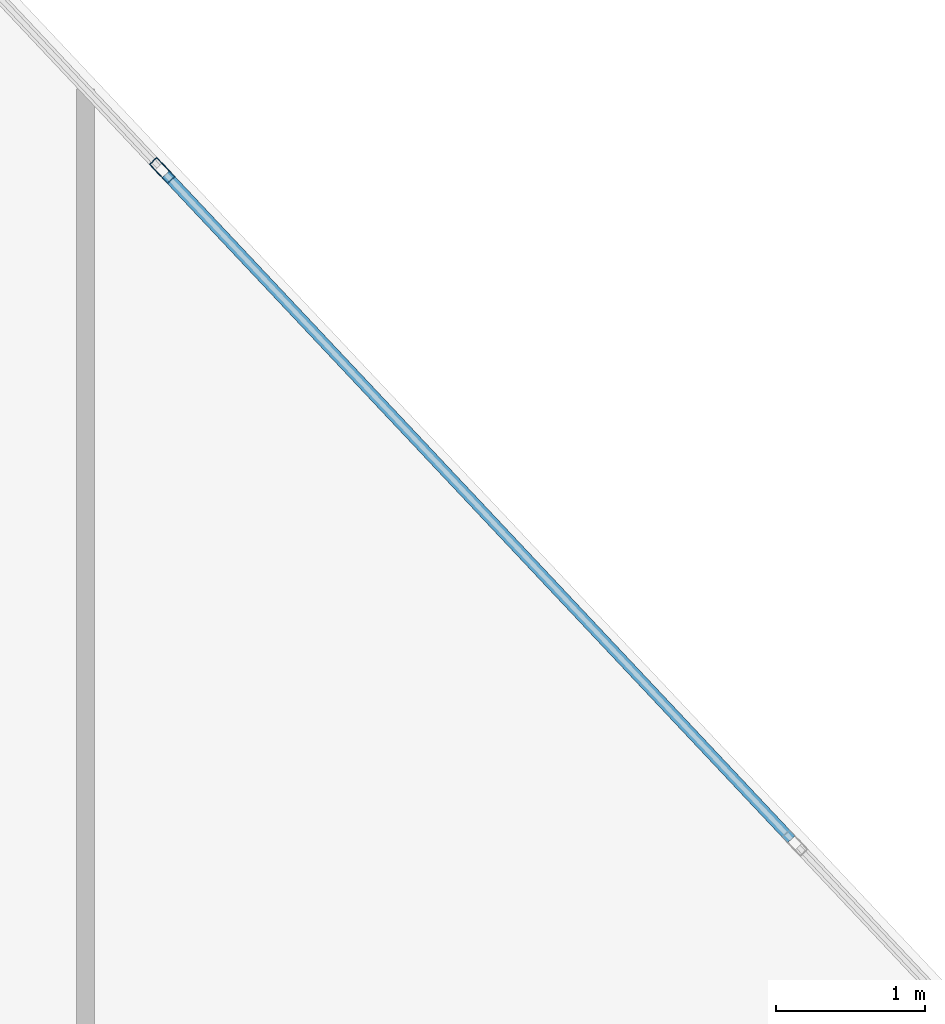
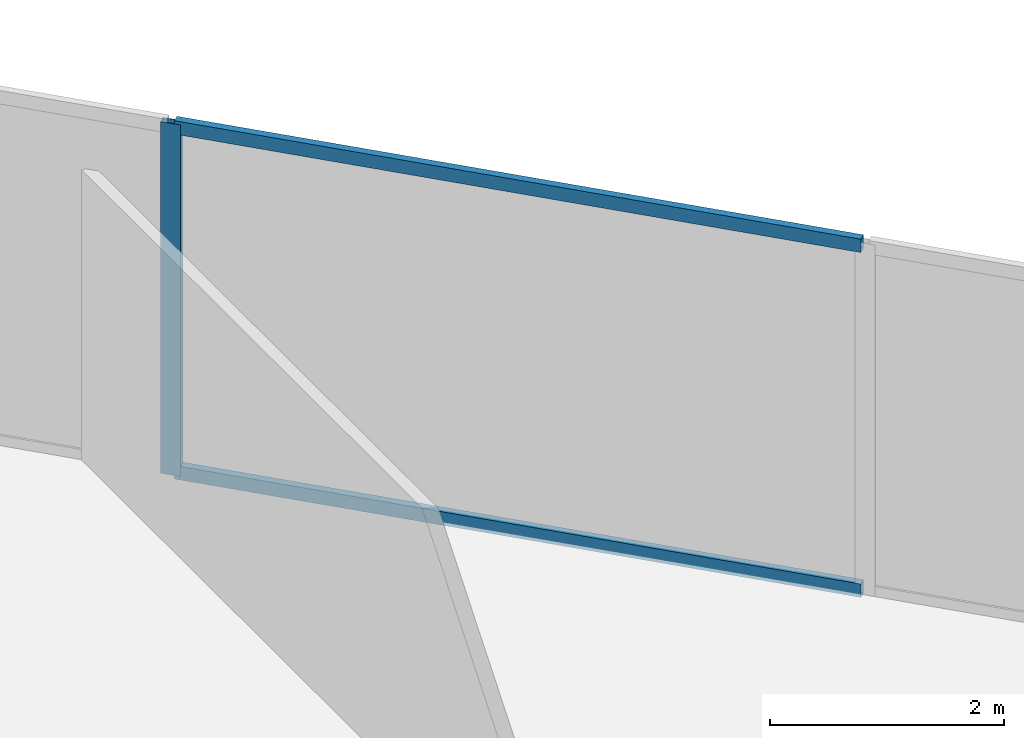
# One storey, part 19 of 25: 3 members, 1 element without a shape of its own.
"""IFC4 building model written with IfcOpenShell, lengths in metres."""

from ifc_helpers import new_model, si_unit, direction, frame, origin, origin_2d, place, context, subcontext, project, spatial, hollow_rectangle, extrude, source, transform, mapped, material, material_profile, profile_set, type_object, type_shapes, element, aggregate, save


model = new_model("IFC4")

# Units and contexts
model_context = context("Model", 3, precision=1e-05, world=origin(), true_north=direction((0.0, 1.0)))
body_context = subcontext(model_context, "Body", "Model", "MODEL_VIEW")
ifc_project = project(units=[si_unit("LENGTHUNIT", "METRE"), si_unit("AREAUNIT", "SQUARE_METRE"), si_unit("VOLUMEUNIT", "CUBIC_METRE"), si_unit("PLANEANGLEUNIT", "RADIAN"), si_unit("MASSUNIT", "GRAM", prefix="KILO")], contexts=[model_context])

# Site, building, storey
site_placement = place(None, origin())
site = spatial("IfcSite", under=ifc_project, at=site_placement, CompositionType="ELEMENT")
building_placement = place(site_placement, origin())
building = spatial("IfcBuilding", under=site, at=building_placement, Name="Krantzveldt Concourse Tower", CompositionType="ELEMENT")
storey_placement = place(building_placement, frame((0.0, 0.0, 238.89990234375)))
storey = spatial("IfcBuildingStorey", under=building, at=storey_placement, Name="L58", CompositionType="ELEMENT", Elevation=238.89990234375)

# Curtain wall, members
ifc_material = material(Name="Anodised aluminium 6063-T6", Category="aluminium")
curtain_wall_type = type_object("IfcCurtainWallType", Name="CW3", PredefinedType="USERDEFINED", material=ifc_material)
curtain_wall_placement = place(storey_placement, origin())
curtain_wall = element("IfcCurtainWall", 1, at=curtain_wall_placement, inside=storey, type_object=curtain_wall_type, Name="CW-L58-F14", ObjectType="UNITISED CURTAIN WALL", PredefinedType="USERDEFINED")
ifc_material_profile_1 = material_profile(ifc_material, hollow_rectangle(XDim=0.070068359375, YDim=0.179931640625, WallThickness=0.0048828125, at=origin_2d()), Name="Anodised aluminium 6063-T6", Category="aluminium")
ifc_profile_set_1 = profile_set([ifc_material_profile_1], Name="Anodised aluminium 6063-T6 - ALU-MULL 180x70x5")
member_type_1 = type_object("IfcMemberType", Name="CW-MUL-180", PredefinedType="MULLION", material=ifc_profile_set_1)
shared_shape_1 = source(origin(), body_context, "Body", "SweptSolid", [
    extrude(hollow_rectangle(XDim=0.070068359375, YDim=0.179931640625, WallThickness=0.0048828125, at=origin_2d()), origin(), (0.0, 0.0, 1.0), 3.670166015625),
])
type_shapes(member_type_1, [shared_shape_1])
member_1_placement = place(storey_placement, frame((44.493896484375, 47.45849609375, 0.0), z_axis=(0.0, 0.0, 1.0), x_axis=(-0.728371012348, -0.685182945184, 0.0)))
member_1 = element("IfcMember", 2, at=member_1_placement, type_object=member_type_1, Name="CW-Z34 mullion 5", PredefinedType="MULLION", context=body_context, shape_type="MappedRepresentation", body=[
    mapped(shared_shape_1, transform((0.0, 0.0, 0.0), x_axis=(1.0, 0.0, 0.0), y_axis=(0.0, 1.0, 0.0), z_axis=(0.0, 0.0, 1.0), scale=1.0)),
])
ifc_material_profile_2 = material_profile(ifc_material, hollow_rectangle(XDim=0.070068359375, YDim=0.139892578125, WallThickness=0.0048828125, at=origin_2d()), Name="Anodised aluminium 6063-T6", Category="aluminium")
ifc_profile_set_2 = profile_set([ifc_material_profile_2], Name="Anodised aluminium 6063-T6 - ALU-TRAN 140x70x5")
member_type_2 = type_object("IfcMemberType", Name="CW-TRN-150", PredefinedType="USERDEFINED", material=ifc_profile_set_2)
shared_shape_2 = source(origin(), body_context, "Body", "SweptSolid", [
    extrude(hollow_rectangle(XDim=0.070068359375, YDim=0.139892578125, WallThickness=0.0048828125, at=origin_2d()), origin(), (0.0, 0.0, 1.0), 6.1298828125),
])
type_shapes(member_type_2, [shared_shape_2])
member_2_placement = place(storey_placement, frame((48.718017578125, 42.968017578125, 0.03515625), z_axis=(-0.685190754255, 0.72836366623, 0.0), x_axis=(-0.72836366623, -0.685190754255, 0.0)))
member_2 = element("IfcMember", 3, at=member_2_placement, type_object=member_type_2, Name="CW-Z34 transom 4.1", ObjectType="TRANSOM", PredefinedType="USERDEFINED", context=body_context, shape_type="MappedRepresentation", body=[
    mapped(shared_shape_2, transform((0.0, 0.0, 0.0), x_axis=(1.0, 0.0, 0.0), y_axis=(0.0, 1.0, 0.0), z_axis=(0.0, 0.0, 1.0), scale=1.0)),
])
member_3_placement = place(storey_placement, frame((48.718017578125, 42.968017578125, 3.635009765625), z_axis=(-0.685190754255, 0.72836366623, 0.0), x_axis=(-0.72836366623, -0.685190754255, 0.0)))
member_3 = element("IfcMember", 4, at=member_3_placement, type_object=member_type_2, Name="CW-Z34 transom 4.2", ObjectType="TRANSOM", PredefinedType="USERDEFINED", context=body_context, shape_type="MappedRepresentation", body=[
    mapped(shared_shape_2, transform((0.0, 0.0, 0.0), x_axis=(1.0, 0.0, 0.0), y_axis=(0.0, 1.0, 0.0), z_axis=(0.0, 0.0, 1.0), scale=1.0)),
])
aggregate(curtain_wall, [member_1, member_2, member_3])

save(model, "model.ifc")
